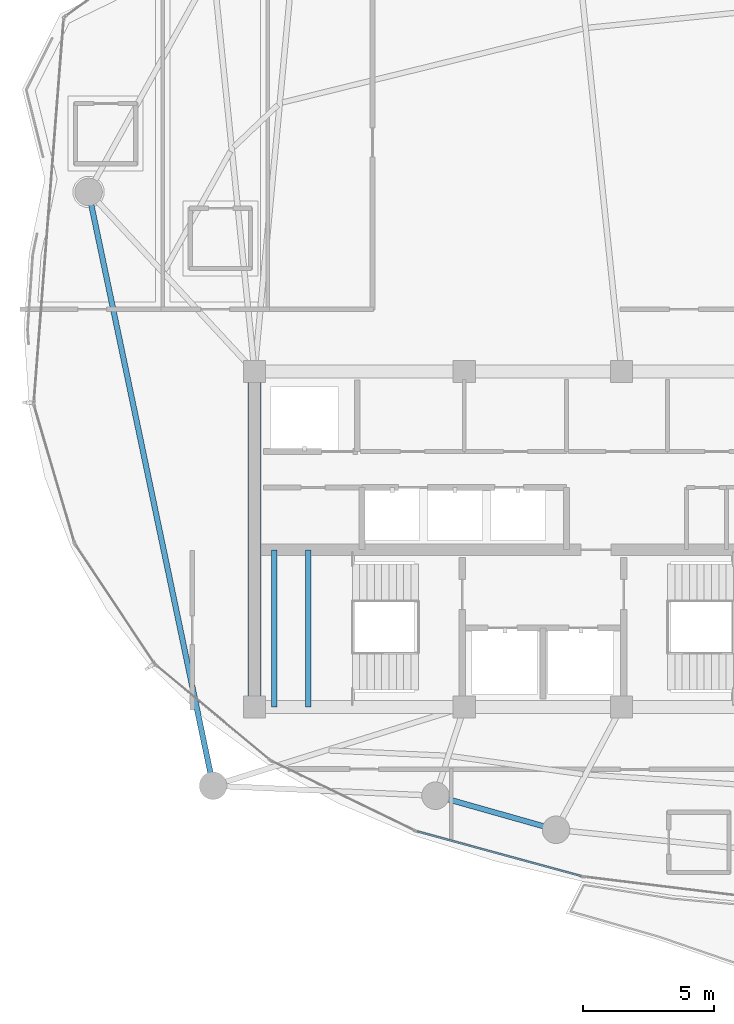
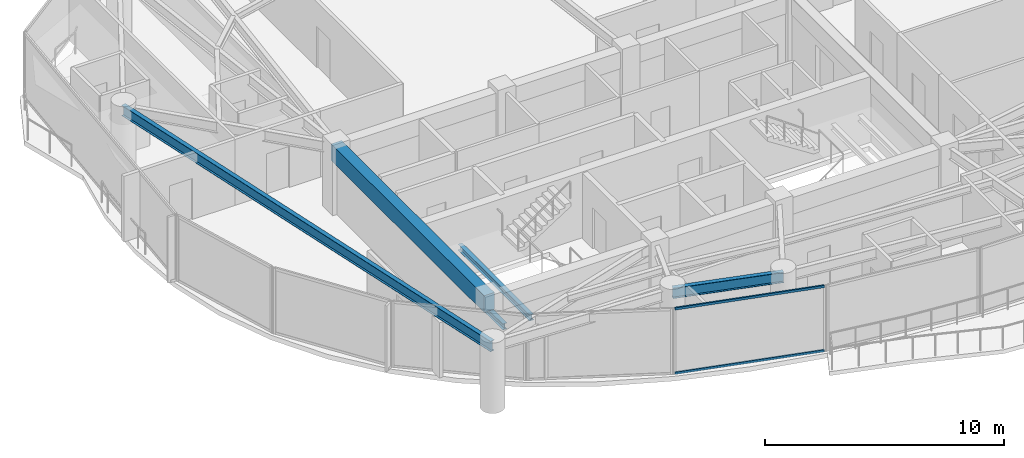
# One storey, part 4 of 31: 5 beams, 2 members, 1 element without a shape of its own.
"""IFC4 building model written with IfcOpenShell, lengths in metres."""

import ifcopenshell
import ifcopenshell.guid

model = None  # the IFC model being written
_history = None  # IfcOwnerHistory: only IFC2X3 demands one
_inside = {}  # id of a spatial element -> (the spatial element, [elements in it])
_under = {}  # id of a project, library or spatial element -> (it, [spatial elements below it])
_declared = {}  # id of a project -> (the project, [libraries it declares])
_typed = {}  # id of a type object -> (the type object, [elements of that type])
_made_of = {}  # id of a material, layer set ... -> (it, [elements and type objects made of it])


def new_model(schema):
    """Start an empty IFC model of exactly this schema.

    Asked for "IFC4X3", IfcOpenShell would pick the latest addendum, in which some entities
    have other attributes; the version numbers below select the first issue.
    IFC2X3 requires an IfcOwnerHistory on every rooted entity: one is made here for all.
    """
    global model, _history
    if schema == "IFC4X3":
        model = ifcopenshell.file(schema_version=(4, 3, 0, 0))
    else:
        model = ifcopenshell.file(schema=schema)
    _inside.clear()
    _under.clear()
    _declared.clear()
    _typed.clear()
    _made_of.clear()
    _history = None
    if model.schema == "IFC2X3":
        org = make("IfcOrganization", Name="unknown")
        user = make(
            "IfcPersonAndOrganization",
            ThePerson=make("IfcPerson", FamilyName="unknown"),
            TheOrganization=org,
        )
        app = make(
            "IfcApplication",
            ApplicationDeveloper=org,
            Version="unknown",
            ApplicationFullName="unknown",
            ApplicationIdentifier="unknown",
        )
        _history = make(
            "IfcOwnerHistory",
            OwningUser=user,
            OwningApplication=app,
            ChangeAction="ADDED",
            CreationDate=0,
        )
    return model


def make(cls, **values):
    """One entity of the class cls with the attributes given. An attribute that is None is left unset."""
    return model.create_entity(
        cls, **{name: value for name, value in values.items() if value is not None}
    )


def rooted(cls, **values):
    """An entity with a GlobalId (a new one), such as an element, a storey or a relation."""
    return make(cls, GlobalId=ifcopenshell.guid.new(), OwnerHistory=_history, **values)


def si_unit(unit_type, name, prefix=None):
    """IfcSIUnit, for example si_unit("LENGTHUNIT", "METRE", prefix="MILLI")."""
    return make("IfcSIUnit", UnitType=unit_type, Prefix=prefix, Name=name)


def assignment(units):
    """IfcUnitAssignment: the units of a project."""
    return None if units is None else make("IfcUnitAssignment", Units=units)


def point(xyz):
    """IfcCartesianPoint."""
    return None if xyz is None else make("IfcCartesianPoint", Coordinates=xyz)


def direction(xyz):
    """IfcDirection."""
    return None if xyz is None else make("IfcDirection", DirectionRatios=xyz)


def frame(location, z_axis=None, x_axis=None):
    """IfcAxis2Placement3D, a coordinate frame: its origin and axes. An axis left out is left unset."""
    return make(
        "IfcAxis2Placement3D",
        Location=point(location),
        Axis=direction(z_axis),
        RefDirection=direction(x_axis),
    )


def frame_2d(location, x_axis=None):
    """IfcAxis2Placement2D, a coordinate frame in the plane: its origin and x axis."""
    return make(
        "IfcAxis2Placement2D", Location=point(location), RefDirection=direction(x_axis)
    )


def origin():
    """The frame at (0, 0, 0) with its axes left unset."""
    return frame((0.0, 0.0, 0.0))


def origin_2d():
    """The frame at (0, 0) in the plane with its x axis left unset."""
    return frame_2d((0.0, 0.0))


def place(relative_to, where):
    """IfcLocalPlacement: puts the frame where relative to a parent placement (None: the world)."""
    return make(
        "IfcLocalPlacement", PlacementRelTo=relative_to, RelativePlacement=where
    )


def context(
    kind, dimensions, precision=None, world=None, true_north=None, identifier=None
):
    """IfcGeometricRepresentationContext, for example the 3D "Model" context."""
    return make(
        "IfcGeometricRepresentationContext",
        ContextIdentifier=identifier,
        ContextType=kind,
        CoordinateSpaceDimension=dimensions,
        Precision=precision,
        WorldCoordinateSystem=world,
        TrueNorth=true_north,
    )


def subcontext(parent, identifier, kind, view, scale=None):
    """IfcGeometricRepresentationSubContext, for example "Body" below "Model"."""
    return make(
        "IfcGeometricRepresentationSubContext",
        ContextIdentifier=identifier,
        ContextType=kind,
        ParentContext=parent,
        TargetScale=scale,
        TargetView=view,
    )


def project(units=None, contexts=None):
    """IfcProject with its units and contexts."""
    return rooted(
        "IfcProject",
        Name="project",
        RepresentationContexts=contexts,
        UnitsInContext=assignment(units),
    )


def spatial(cls, under=None, at=None, **own):
    """A site, building, storey or space (cls), placed at a placement, below another one or the project."""
    s = rooted(cls, ObjectPlacement=at, **own)
    if under is not None:
        _under.setdefault(under.id(), (under, []))[1].append(s)
    return s


def profile(cls, at=None, kind="AREA", **sizes):
    """A parametric profile (cls). Its sizes go by their IFC names, for example OverallWidth=200.0."""
    return make(cls, ProfileType=kind, Position=at, **sizes)


def rectangle(**sizes):
    """IfcRectangleProfileDef."""
    return profile("IfcRectangleProfileDef", **sizes)


def hollow_rectangle(**sizes):
    """IfcRectangleHollowProfileDef."""
    return profile("IfcRectangleHollowProfileDef", **sizes)


def i_section(**sizes):
    """IfcIShapeProfileDef."""
    return profile("IfcIShapeProfileDef", **sizes)


def extrude(swept, where, along, depth):
    """IfcExtrudedAreaSolid: the profile swept, set in the frame where, extruded along a direction by depth."""
    return make(
        "IfcExtrudedAreaSolid",
        SweptArea=swept,
        Position=where,
        ExtrudedDirection=direction(along),
        Depth=depth,
    )


def shape(context_of_items, identifier, shape_type, items):
    """IfcShapeRepresentation: the items that make up one representation, for example the "Body"."""
    return make(
        "IfcShapeRepresentation",
        ContextOfItems=context_of_items,
        RepresentationIdentifier=identifier,
        RepresentationType=shape_type,
        Items=items,
    )


def material(Name=None, Category=None):
    """IfcMaterial."""
    return make("IfcMaterial", Name=Name, Category=Category)


def layer(
    of_material, thickness, ventilated=None, Name=None, Category=None, Priority=None
):
    """IfcMaterialLayer: one layer of a wall or slab, of a material (None: an air gap)."""
    return make(
        "IfcMaterialLayer",
        Material=of_material,
        LayerThickness=thickness,
        IsVentilated=ventilated,
        Name=Name,
        Category=Category,
        Priority=Priority,
    )


def layer_set(layers, Name=None):
    """IfcMaterialLayerSet."""
    return make("IfcMaterialLayerSet", MaterialLayers=layers, LayerSetName=Name)


def material_profile(
    of_material, cross_section, Name=None, Category=None, Priority=None
):
    """IfcMaterialProfile: a cross section and its material."""
    return make(
        "IfcMaterialProfile",
        Name=Name,
        Material=of_material,
        Profile=cross_section,
        Priority=Priority,
        Category=Category,
    )


def profile_set(profiles, Name=None, composite=None):
    """IfcMaterialProfileSet."""
    return make(
        "IfcMaterialProfileSet",
        Name=Name,
        MaterialProfiles=profiles,
        CompositeProfile=composite,
    )


def made_of(thing, what):
    """Note that an element or type object is made of a material, layer set ...; save() writes the relation."""
    if what is not None:
        _made_of.setdefault(what.id(), (what, []))[1].append(thing)
    return thing


def type_object(cls, material=None, **own):
    """A type object (cls), such as IfcWallType, which elements share."""
    return made_of(rooted(cls, **own), material)


def element(
    cls,
    number,
    at=None,
    inside=None,
    cuts=None,
    type_object=None,
    material=None,
    context=None,
    identifier="Body",
    shape_type=None,
    held_by="IfcProductDefinitionShape",
    body=None,
    shapes=None,
    **own,
):
    """One element of the class cls, such as IfcWall. Its Tag is "e" and its number.

    at: its placement. inside: the storey or other place that contains it. cuts: it is an
    opening in that element (IfcRelVoidsElement). A single representation is given by context,
    identifier, shape_type and body (its items); several are given by shapes. held_by: the class
    of the entity that holds the representations. save() writes the other relations.
    """
    e = rooted(cls, Tag="e%d" % number, ObjectPlacement=at, **own)
    if body is not None:
        shapes = [shape(context, identifier, shape_type, body)]
    if shapes is not None:
        e.Representation = make(held_by, Representations=shapes)
    if inside is not None:
        _inside.setdefault(inside.id(), (inside, []))[1].append(e)
    if cuts is not None:
        rooted(
            "IfcRelVoidsElement", RelatingBuildingElement=cuts, RelatedOpeningElement=e
        )
    if type_object is not None:
        _typed.setdefault(type_object.id(), (type_object, []))[1].append(e)
    return made_of(e, material)


def aggregate(whole, parts):
    """IfcRelAggregates: a whole, such as a stair, and the parts it consists of."""
    return rooted("IfcRelAggregates", RelatingObject=whole, RelatedObjects=parts)


def save(model, path):
    """Write the relations noted so far, then the file.

    IfcRelAggregates (storeys below a building ...), IfcRelContainedInSpatialStructure (elements
    in a storey), IfcRelDefinesByType, IfcRelAssociatesMaterial and IfcRelDeclares: one each for
    every whole, place, type object, material and project.
    """
    for whole, parts in _under.values():
        aggregate(whole, parts)
    for where, things in _inside.values():
        rooted(
            "IfcRelContainedInSpatialStructure",
            RelatedElements=things,
            RelatingStructure=where,
        )
    for kind, things in _typed.values():
        rooted("IfcRelDefinesByType", RelatedObjects=things, RelatingType=kind)
    for what, things in _made_of.values():
        rooted("IfcRelAssociatesMaterial", RelatedObjects=things, RelatingMaterial=what)
    for by, libraries in _declared.values():
        rooted("IfcRelDeclares", RelatingContext=by, RelatedDefinitions=libraries)
    model.write(path)


model = new_model("IFC4")

# Units and contexts
model_context = context("Model", 3, precision=1e-05, world=origin(), true_north=direction((0.0, 1.0)))
body_context = subcontext(model_context, "Body", "Model", "MODEL_VIEW")
ifc_project = project(units=[si_unit("LENGTHUNIT", "METRE"), si_unit("AREAUNIT", "SQUARE_METRE"), si_unit("VOLUMEUNIT", "CUBIC_METRE"), si_unit("PLANEANGLEUNIT", "RADIAN"), si_unit("MASSUNIT", "GRAM", prefix="KILO")], contexts=[model_context])

# Site, building, storey
site_placement = place(None, origin())
site = spatial("IfcSite", under=ifc_project, at=site_placement, CompositionType="ELEMENT")
building_placement = place(site_placement, origin())
building = spatial("IfcBuilding", under=site, at=building_placement, Name="Kazevale Care Tower and Concert Hall", CompositionType="ELEMENT")
storey_placement = place(building_placement, frame((0.0, 0.0, 206.39990234375)))
storey = spatial("IfcBuildingStorey", under=building, at=storey_placement, Name="L54", CompositionType="ELEMENT", Elevation=206.39990234375)

# Curtain wall, members
ifc_material_1 = material(Name="Aluminium 6063-T6 and Low-E Glass", Category="aluminium")
ifc_layer = layer(ifc_material_1, 0.179931640625)
ifc_layer_set = layer_set([ifc_layer], Name="Aluminium 6063-T6 and Low-E Glass")
curtain_wall_type = type_object("IfcCurtainWallType", Name="Sheltered Concave Balcony Curtain Wall CW-5", PredefinedType="NOTDEFINED", material=ifc_layer_set)
curtain_wall_placement = place(storey_placement, origin())
curtain_wall = element("IfcCurtainWall", 1, at=curtain_wall_placement, inside=storey, type_object=curtain_wall_type, Name="cw:L54:f08", PredefinedType="NOTDEFINED")
ifc_material_2 = material(Name="Aluminium 6063-T6", Category="aluminium")
ifc_material_profile_1 = material_profile(ifc_material_2, hollow_rectangle(XDim=0.074951171875, YDim=0.1201171875, WallThickness=0.00390625, at=origin_2d()), Name="ALU75x120x4")
ifc_profile_set_1 = profile_set([ifc_material_profile_1], Name="Aluminium 6063-T6")
member_type = type_object("IfcMemberType", Name="CW-5 Transom ALU75x120x4", PredefinedType="USERDEFINED", material=ifc_profile_set_1)
member_1_placement = place(storey_placement, frame((34.458740234375, 17.15283203125, 0.03759765625), z_axis=(-0.964843890632, 0.262823641842, 0.0), x_axis=(-0.262823641842, -0.964843890632, 0.0)))
member_1 = element("IfcMember", 2, at=member_1_placement, type_object=member_type, Name="CW-5 transom 1.1", ObjectType="TRANSOM", PredefinedType="USERDEFINED", context=body_context, shape_type="SweptSolid", body=[
    extrude(hollow_rectangle(XDim=0.074951171875, YDim=0.1201171875, WallThickness=0.00390625, at=origin_2d()), origin(), (0.0, 0.0, 1.0), 6.469970703125),
])
member_2_placement = place(storey_placement, frame((34.458740234375, 17.15283203125, 3.322509765625), z_axis=(-0.964843890632, 0.262823641842, 0.0), x_axis=(-0.262823641842, -0.964843890632, 0.0)))
member_2 = element("IfcMember", 3, at=member_2_placement, type_object=member_type, Name="CW-5 transom 1.2", ObjectType="TRANSOM", PredefinedType="USERDEFINED", context=body_context, shape_type="SweptSolid", body=[
    extrude(hollow_rectangle(XDim=0.074951171875, YDim=0.1201171875, WallThickness=0.00390625, at=origin_2d()), origin(), (0.0, 0.0, 1.0), 6.469970703125),
])
aggregate(curtain_wall, [member_1, member_2])

# Beams
ifc_material_3 = material(Name="Concrete C60", Category="concrete")
ifc_material_profile_2 = material_profile(ifc_material_3, rectangle(XDim=0.5, YDim=0.85009765625, at=origin_2d()), Name="RC-B500x850")
ifc_profile_set_2 = profile_set([ifc_material_profile_2], Name="Concrete C60")
beam_type_1 = type_object("IfcBeamType", Name="Core Coupling Beam RC500x850", PredefinedType="LINTEL", material=ifc_profile_set_2)
beam_1_placement = place(storey_placement, frame((22.0, 36.39990234375, 2.93505859375), z_axis=(0.0, -1.0, 0.0), x_axis=(1.0, 0.0, 0.0)))
element("IfcBeam", 4, at=beam_1_placement, inside=storey, type_object=beam_type_1, Name="beam:L54:coretie:8", PredefinedType="LINTEL", context=body_context, shape_type="SweptSolid", body=[
    extrude(rectangle(XDim=0.5, YDim=0.85009765625, at=origin_2d()), origin(), (0.0, 0.0, 1.0), 12.7998046875),
])
ifc_material_4 = material(Name="Steel ASTM A572 Gr 50", Category="steel")
ifc_material_profile_3 = material_profile(ifc_material_4, i_section(OverallWidth=0.202880859375, OverallDepth=0.302978515625, WebThickness=0.007568359375, FlangeThickness=0.01318359375, at=origin_2d()), Name="W310x60")
ifc_profile_set_3 = profile_set([ifc_material_profile_3], Name="Steel ASTM A572 Gr 50")
beam_type_2 = type_object("IfcBeamType", Name="Stair & Balcony Trimmer W310x60", PredefinedType="BEAM", material=ifc_profile_set_3)
for number, where, z_axis, x_axis, name in (
    (5, (22.75, 23.60009765625, 1.448486328125), (0.0, 1.0, 0.0), (-1.0, 0.0, 0.0), "beam:L54:sttrim:ST1"),
    (6, (24.050048828125, 23.60009765625, 1.448486328125), (0.0, 1.0, 0.0), (-1.0, 0.0, 0.0), "beam:L54:sttrim:ST1b"),
):
    element("IfcBeam", number, at=place(storey_placement, frame(where, z_axis=z_axis, x_axis=x_axis)), inside=storey, type_object=beam_type_2, Name=name, PredefinedType="BEAM", context=body_context, shape_type="SweptSolid", body=[
        extrude(i_section(OverallWidth=0.202880859375, OverallDepth=0.302978515625, WebThickness=0.007568359375, FlangeThickness=0.01318359375, at=origin_2d()), origin(), (0.0, 0.0, 1.0), 6.0),
    ])
ifc_material_profile_4 = material_profile(ifc_material_4, i_section(OverallWidth=0.208984375, OverallDepth=0.532958984375, WebThickness=0.01025390625, FlangeThickness=0.015625, at=origin_2d()), Name="W530x92")
ifc_profile_set_4 = profile_set([ifc_material_profile_4], Name="Steel ASTM A572 Gr 50")
beam_type_3 = type_object("IfcBeamType", Name="Upper Ring Beam W530x92", PredefinedType="BEAM", material=ifc_profile_set_4)
beam_2_placement = place(storey_placement, frame((15.669921875, 43.25, 3.093505859375), z_axis=(0.205249071222, -0.978709772488, 0.0), x_axis=(0.978709772488, 0.205249071222, 0.0)))
element("IfcBeam", 7, at=beam_2_placement, inside=storey, type_object=beam_type_3, Name="beam:L54:ring:09", PredefinedType="BEAM", context=body_context, shape_type="SweptSolid", body=[
    extrude(i_section(OverallWidth=0.208984375, OverallDepth=0.532958984375, WebThickness=0.01025390625, FlangeThickness=0.015625, at=origin_2d()), origin(), (0.0, 0.0, 1.0), 23.142578125),
])
beam_3_placement = place(storey_placement, frame((28.89990234375, 20.219970703125, 3.093505859375), z_axis=(0.962308240836, -0.271961117846, 0.0), x_axis=(0.271961117846, 0.962308240836, 0.0)))
element("IfcBeam", 8, at=beam_3_placement, inside=storey, type_object=beam_type_3, Name="beam:L54:ring:11", PredefinedType="BEAM", context=body_context, shape_type="SweptSolid", body=[
    extrude(i_section(OverallWidth=0.208984375, OverallDepth=0.532958984375, WebThickness=0.01025390625, FlangeThickness=0.015625, at=origin_2d()), origin(), (0.0, 0.0, 1.0), 4.7802734375),
])

save(model, "model.ifc")
